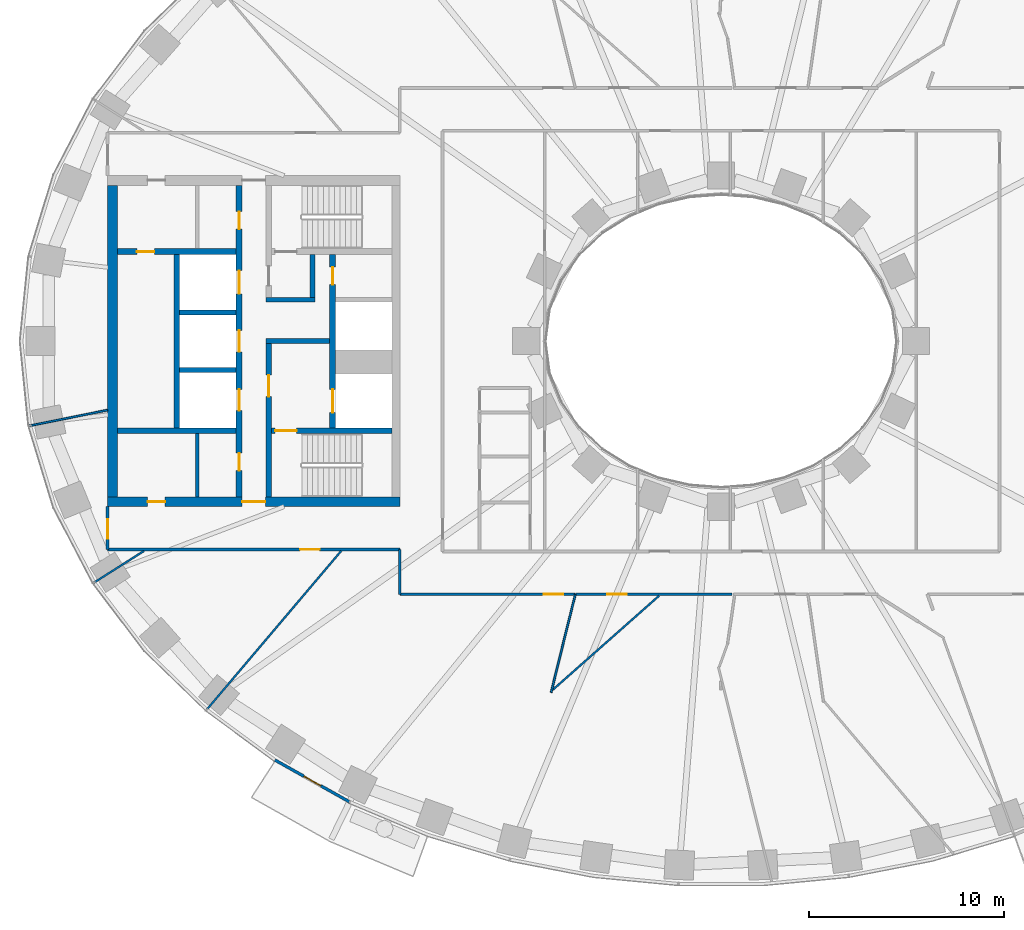
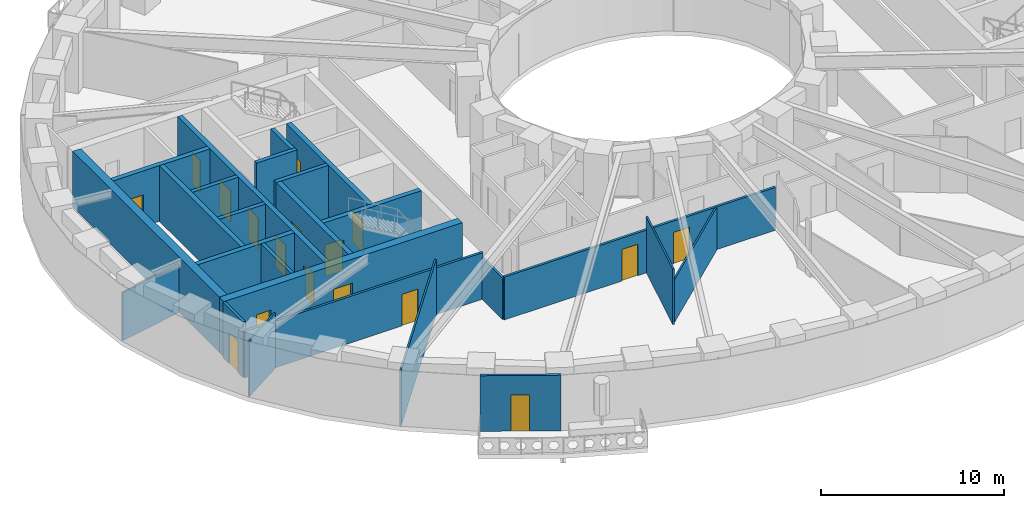
# One storey, part 3 of 15: 26 walls, 17 doors, 17 openings.
"""IFC4 building model written with IfcOpenShell, lengths in metres."""

from ifc_helpers import new_model, si_unit, direction, frame, frame_2d, origin, place, context, subcontext, project, spatial, rectangle, extrude, material, layer, layer_set, type_object, element, fill, save


model = new_model("IFC4")

# Units and contexts
model_context = context("Model", 3, precision=1e-05, world=origin(), true_north=direction((0.0, 1.0)))
body_context = subcontext(model_context, "Body", "Model", "MODEL_VIEW")
ifc_project = project(units=[si_unit("LENGTHUNIT", "METRE"), si_unit("AREAUNIT", "SQUARE_METRE"), si_unit("VOLUMEUNIT", "CUBIC_METRE"), si_unit("PLANEANGLEUNIT", "RADIAN"), si_unit("MASSUNIT", "GRAM", prefix="KILO")], contexts=[model_context])

# Site, building, storey
site_placement = place(None, origin())
site = spatial("IfcSite", under=ifc_project, at=site_placement, CompositionType="ELEMENT")
building_placement = place(site_placement, origin())
building = spatial("IfcBuilding", under=site, at=building_placement, Name="Noorbagh Ring Tower", CompositionType="ELEMENT")
storey_placement = place(building_placement, frame((0.0, 0.0, 38.5)))
storey = spatial("IfcBuildingStorey", under=building, at=storey_placement, Name="L07", CompositionType="ELEMENT", Elevation=38.5)

# Walls
ifc_material_1 = material(Name="Gypsum board on steel studs", Category="steel")
ifc_layer_1 = layer(ifc_material_1, 0.199951171875)
ifc_layer_set_1 = layer_set([ifc_layer_1], Name="Gypsum board on steel studs")
wall_type_1 = type_object("IfcWallType", Name="CORE-PARTITION-200", PredefinedType="PARTITIONING", material=ifc_layer_set_1)
wall_1_placement = place(storey_placement, frame((-26.89990234375, -8.0, 0.0), z_axis=(0.0, 0.0, 1.0), x_axis=(0.0, 1.0, 0.0)))
element("IfcWall", 1, at=wall_1_placement, inside=storey, type_object=wall_type_1, Name="Core partition W", PredefinedType="PARTITIONING", context=body_context, shape_type="SweptSolid", body=[
    extrude(rectangle(XDim=3.25, YDim=0.199951171875, at=frame_2d((1.625, 0.0))), origin(), (0.0, 0.0, 1.0), 3.699951171875),
])
ifc_material_2 = material(Name="Concrete C70/85", Category="concrete")
ifc_layer_2 = layer(ifc_material_2, 0.25)
ifc_layer_set_2 = layer_set([ifc_layer_2], Name="Concrete C70/85")
wall_type_2 = type_object("IfcWallType", Name="CORE-WALL-250-C70-85-EI120", PredefinedType="SHEAR", material=ifc_layer_set_2)
for number, where, z_axis, x_axis, name in (
    (2, (-24.89990234375, -1.47509765625, 0.0), (0.0, 0.0, 1.0), (-1.0, 0.0, 0.0), "Core wall W"),
    (3, (-24.89990234375, 1.47509765625, 0.0), (0.0, 0.0, 1.0), (-1.0, 0.0, 0.0), "Core wall W"),
):
    element("IfcWall", number, at=place(storey_placement, frame(where, z_axis=z_axis, x_axis=x_axis)), inside=storey, type_object=wall_type_2, Name=name, PredefinedType="SHEAR", context=body_context, shape_type="SweptSolid", body=[
        extrude(rectangle(XDim=2.900146484375, YDim=0.25, at=frame_2d((1.4501953125, 0.0))), origin(), (0.0, 0.0, 1.0), 3.699951171875),
    ])
ifc_material_3 = material(Name="Concrete C70/85", Category="concrete")
ifc_layer_3 = layer(ifc_material_3, 0.25)
ifc_layer_set_3 = layer_set([ifc_layer_3], Name="Concrete C70/85")
wall_type_3 = type_object("IfcWallType", Name="CORE-WALL-250-C70-85-EI240", PredefinedType="SHEAR", material=ifc_layer_set_3)
wall_2_placement = place(storey_placement, frame((-20.10009765625, 0.0, 0.0), z_axis=(0.0, 0.0, 1.0), x_axis=(-1.0, 0.0, 0.0)))
element("IfcWall", 4, at=wall_2_placement, inside=storey, type_object=wall_type_3, Name="Core wall W", PredefinedType="SHEAR", context=body_context, shape_type="SweptSolid", body=[
    extrude(rectangle(XDim=3.27978515625, YDim=0.25, at=frame_2d((1.639892578125, 0.0))), origin(), (0.0, 0.0, 1.0), 3.699951171875),
])
wall_3_placement = place(storey_placement, frame((-20.85009765625, 2.125, 0.0), z_axis=(0.0, 0.0, 1.0), x_axis=(-1.0, 0.0, 0.0)))
element("IfcWall", 5, at=wall_3_placement, inside=storey, type_object=wall_type_3, Name="Core wall W", PredefinedType="SHEAR", context=body_context, shape_type="SweptSolid", body=[
    extrude(rectangle(XDim=2.52978515625, YDim=0.25, at=frame_2d((1.264892578125, 0.0))), origin(), (0.0, 0.0, 1.0), 3.699951171875),
])
wall_4_placement = place(storey_placement, frame((-20.97509765625, 2.25, 0.0), z_axis=(0.0, 0.0, 1.0), x_axis=(0.0, 1.0, 0.0)))
element("IfcWall", 6, at=wall_4_placement, inside=storey, type_object=wall_type_3, Name="Core wall W", PredefinedType="SHEAR", context=body_context, shape_type="SweptSolid", body=[
    extrude(rectangle(XDim=2.199951171875, YDim=0.25, at=frame_2d((1.10009765625, 0.0))), origin(), (0.0, 0.0, 1.0), 3.699951171875),
])
ifc_material_4 = material(Name="Concrete C70/85", Category="concrete")
ifc_layer_4 = layer(ifc_material_4, 0.300048828125)
ifc_layer_set_4 = layer_set([ifc_layer_4], Name="Concrete C70/85")
wall_type_4 = type_object("IfcWallType", Name="CORE-WALL-300-C70-85-EI120", PredefinedType="SHEAR", material=ifc_layer_set_4)
wall_5_placement = place(storey_placement, frame((-27.949951171875, -4.449951171875, 0.0), z_axis=(0.0, 0.0, 1.0), x_axis=(0.0, 1.0, 0.0)))
element("IfcWall", 7, at=wall_5_placement, inside=storey, type_object=wall_type_4, Name="Core wall W", PredefinedType="SHEAR", context=body_context, shape_type="SweptSolid", body=[
    extrude(rectangle(XDim=8.89990234375, YDim=0.300048828125, at=frame_2d((4.449951171875, 0.0))), origin(), (0.0, 0.0, 1.0), 3.699951171875),
])

# Wall, openings, doors
wall_6_placement = place(storey_placement, frame((-19.949951171875, -4.449951171875, 0.0), z_axis=(0.0, 0.0, 1.0), x_axis=(0.0, 1.0, 0.0)))
wall_6 = element("IfcWall", 8, at=wall_6_placement, inside=storey, type_object=wall_type_4, Name="Core wall W", PredefinedType="SHEAR", context=body_context, shape_type="SweptSolid", body=[
    extrude(rectangle(XDim=8.89990234375, YDim=0.300048828125, at=frame_2d((4.449951171875, 0.0))), origin(), (0.0, 0.0, 1.0), 3.699951171875),
])
opening_1_placement = place(wall_6_placement, frame((0.77490234375, 0.0, 0.0)))
opening_1 = element("IfcOpeningElement", 9, at=opening_1_placement, cuts=wall_6, Name="Opening L07-CW01", PredefinedType="OPENING", context=body_context, shape_type="SweptSolid", body=[
    extrude(rectangle(XDim=1.199951171875, YDim=2.10009765625, at=frame_2d((0.60009765625, 1.050048828125))), frame((0.0, 0.16015625, 0.0), z_axis=(0.0, -1.0, 0.0), x_axis=(1.0, 0.0, 0.0)), (0.0, 0.0, 1.0), 0.320068359375),
])
opening_2_placement = place(wall_6_placement, frame((7.35009765625, 0.0, 0.0)))
opening_2 = element("IfcOpeningElement", 10, at=opening_2_placement, cuts=wall_6, Name="Opening L07-CW11", PredefinedType="OPENING", context=body_context, shape_type="SweptSolid", body=[
    extrude(rectangle(XDim=0.89990234375, YDim=2.10009765625, at=frame_2d((0.449951171875, 1.050048828125))), frame((0.0, 0.16015625, 0.0), z_axis=(0.0, -1.0, 0.0), x_axis=(1.0, 0.0, 0.0)), (0.0, 0.0, 1.0), 0.320068359375),
])
ifc_material_5 = material(Name="Steel door leaf", Category="steel")
door_type_1 = type_object("IfcDoorType", Name="CORE-DOOR-DROOM", OperationType="SINGLE_SWING_LEFT", PredefinedType="DOOR", material=ifc_material_5)
door_1_placement = place(opening_2_placement, origin())
door_1 = element("IfcDoor", 11, at=door_1_placement, inside=storey, type_object=door_type_1, Name="Core room door L07-CW11", OperationType="SINGLE_SWING_LEFT", OverallHeight=2.10009765625, OverallWidth=0.89990234375, PredefinedType="DOOR", context=body_context, shape_type="SweptSolid", body=[
    extrude(rectangle(XDim=0.89990234375, YDim=2.10009765625, at=frame_2d((0.449951171875, 1.050048828125))), frame((0.0, 0.02490234375, 0.0), z_axis=(0.0, -1.0, 0.0), x_axis=(1.0, 0.0, 0.0)), (0.0, 0.0, 1.0), 0.050048828125),
])
fill(opening_2, door_1)
ifc_material_6 = material(Name="Steel door leaf", Category="steel")
door_type_2 = type_object("IfcDoorType", Name="CORE-DOOR-LDW", OperationType="DOUBLE_DOOR_SLIDING", PredefinedType="DOOR", material=ifc_material_6)
door_2_placement = place(opening_1_placement, origin())
door_2 = element("IfcDoor", 12, at=door_2_placement, inside=storey, type_object=door_type_2, Name="Landing door FF1 L07-CW01", OperationType="DOUBLE_DOOR_SLIDING", OverallHeight=2.10009765625, OverallWidth=1.199951171875, PredefinedType="DOOR", context=body_context, shape_type="SweptSolid", body=[
    extrude(rectangle(XDim=1.199951171875, YDim=2.10009765625, at=frame_2d((0.60009765625, 1.050048828125))), frame((0.0, 0.02490234375, 0.0), z_axis=(0.0, -1.0, 0.0), x_axis=(1.0, 0.0, 0.0)), (0.0, 0.0, 1.0), 0.050048828125),
])
fill(opening_1, door_2)

wall_7_placement = place(storey_placement, frame((-24.75, -8.0, 0.0), z_axis=(0.0, 0.0, 1.0), x_axis=(0.0, 1.0, 0.0)))
wall_7 = element("IfcWall", 13, at=wall_7_placement, inside=storey, type_object=wall_type_4, Name="Core wall W", PredefinedType="SHEAR", context=body_context, shape_type="SweptSolid", body=[
    extrude(rectangle(XDim=16.0, YDim=0.300048828125, at=frame_2d((8.0, 0.0))), origin(), (0.0, 0.0, 1.0), 3.699951171875),
])
opening_3_placement = place(wall_7_placement, frame((4.425048828125, 0.0, 0.0)))
opening_3 = element("IfcOpeningElement", 14, at=opening_3_placement, cuts=wall_7, Name="Opening L07-CW02", PredefinedType="OPENING", context=body_context, shape_type="SweptSolid", body=[
    extrude(rectangle(XDim=1.10009765625, YDim=2.10009765625, at=frame_2d((0.550048828125, 1.050048828125))), frame((0.0, 0.16015625, 0.0), z_axis=(0.0, -1.0, 0.0), x_axis=(1.0, 0.0, 0.0)), (0.0, 0.0, 1.0), 0.320068359375),
])
opening_4_placement = place(wall_7_placement, frame((7.449951171875, 0.0, 0.0)))
opening_4 = element("IfcOpeningElement", 15, at=opening_4_placement, cuts=wall_7, Name="Opening L07-CW03", PredefinedType="OPENING", context=body_context, shape_type="SweptSolid", body=[
    extrude(rectangle(XDim=1.10009765625, YDim=2.10009765625, at=frame_2d((0.550048828125, 1.050048828125))), frame((0.0, 0.16015625, 0.0), z_axis=(0.0, -1.0, 0.0), x_axis=(1.0, 0.0, 0.0)), (0.0, 0.0, 1.0), 0.320068359375),
])
opening_5_placement = place(wall_7_placement, frame((10.425048828125, 0.0, 0.0)))
opening_5 = element("IfcOpeningElement", 16, at=opening_5_placement, cuts=wall_7, Name="Opening L07-CW04", PredefinedType="OPENING", context=body_context, shape_type="SweptSolid", body=[
    extrude(rectangle(XDim=1.199951171875, YDim=2.10009765625, at=frame_2d((0.60009765625, 1.050048828125))), frame((0.0, 0.16015625, 0.0), z_axis=(0.0, -1.0, 0.0), x_axis=(1.0, 0.0, 0.0)), (0.0, 0.0, 1.0), 0.320068359375),
])
opening_6_placement = place(wall_7_placement, frame((13.75, 0.0, 0.0)))
opening_6 = element("IfcOpeningElement", 17, at=opening_6_placement, cuts=wall_7, Name="Opening L07-CW12", PredefinedType="OPENING", context=body_context, shape_type="SweptSolid", body=[
    extrude(rectangle(XDim=0.89990234375, YDim=2.10009765625, at=frame_2d((0.449951171875, 1.050048828125))), frame((0.0, 0.16015625, 0.0), z_axis=(0.0, -1.0, 0.0), x_axis=(1.0, 0.0, 0.0)), (0.0, 0.0, 1.0), 0.320068359375),
])
opening_7_placement = place(wall_7_placement, frame((1.35009765625, 0.0, 0.0)))
opening_7 = element("IfcOpeningElement", 18, at=opening_7_placement, cuts=wall_7, Name="Opening L07-CW14", PredefinedType="OPENING", context=body_context, shape_type="SweptSolid", body=[
    extrude(rectangle(XDim=0.89990234375, YDim=2.10009765625, at=frame_2d((0.449951171875, 1.050048828125))), frame((0.0, 0.16015625, 0.0), z_axis=(0.0, -1.0, 0.0), x_axis=(1.0, 0.0, 0.0)), (0.0, 0.0, 1.0), 0.320068359375),
])
door_3_placement = place(opening_6_placement, origin())
door_3 = element("IfcDoor", 19, at=door_3_placement, inside=storey, type_object=door_type_1, Name="Core room door L07-CW12", OperationType="SINGLE_SWING_RIGHT", OverallHeight=2.10009765625, OverallWidth=0.89990234375, PredefinedType="DOOR", context=body_context, shape_type="SweptSolid", body=[
    extrude(rectangle(XDim=0.89990234375, YDim=2.10009765625, at=frame_2d((0.449951171875, 1.050048828125))), frame((0.0, 0.02490234375, 0.0), z_axis=(0.0, -1.0, 0.0), x_axis=(1.0, 0.0, 0.0)), (0.0, 0.0, 1.0), 0.050048828125),
])
fill(opening_6, door_3)
door_4_placement = place(opening_7_placement, origin())
door_4 = element("IfcDoor", 20, at=door_4_placement, inside=storey, type_object=door_type_1, Name="Core room door L07-CW14", OperationType="SINGLE_SWING_LEFT", OverallHeight=2.10009765625, OverallWidth=0.89990234375, PredefinedType="DOOR", context=body_context, shape_type="SweptSolid", body=[
    extrude(rectangle(XDim=0.89990234375, YDim=2.10009765625, at=frame_2d((0.449951171875, 1.050048828125))), frame((0.0, 0.02490234375, 0.0), z_axis=(0.0, -1.0, 0.0), x_axis=(1.0, 0.0, 0.0)), (0.0, 0.0, 1.0), 0.050048828125),
])
fill(opening_7, door_4)
ifc_material_7 = material(Name="Steel door leaf", Category="steel")
door_type_3 = type_object("IfcDoorType", Name="CORE-DOOR-LD", OperationType="DOUBLE_DOOR_SLIDING", PredefinedType="DOOR", material=ifc_material_7)
door_5_placement = place(opening_3_placement, origin())
door_5 = element("IfcDoor", 21, at=door_5_placement, inside=storey, type_object=door_type_3, Name="Landing door LR1 L07-CW02", OperationType="DOUBLE_DOOR_SLIDING", OverallHeight=2.10009765625, OverallWidth=1.10009765625, PredefinedType="DOOR", context=body_context, shape_type="SweptSolid", body=[
    extrude(rectangle(XDim=1.10009765625, YDim=2.10009765625, at=frame_2d((0.550048828125, 1.050048828125))), frame((0.0, 0.02490234375, 0.0), z_axis=(0.0, -1.0, 0.0), x_axis=(1.0, 0.0, 0.0)), (0.0, 0.0, 1.0), 0.050048828125),
])
fill(opening_3, door_5)
door_6_placement = place(opening_4_placement, origin())
door_6 = element("IfcDoor", 22, at=door_6_placement, inside=storey, type_object=door_type_3, Name="Landing door LR2 L07-CW03", OperationType="DOUBLE_DOOR_SLIDING", OverallHeight=2.10009765625, OverallWidth=1.10009765625, PredefinedType="DOOR", context=body_context, shape_type="SweptSolid", body=[
    extrude(rectangle(XDim=1.10009765625, YDim=2.10009765625, at=frame_2d((0.550048828125, 1.050048828125))), frame((0.0, 0.02490234375, 0.0), z_axis=(0.0, -1.0, 0.0), x_axis=(1.0, 0.0, 0.0)), (0.0, 0.0, 1.0), 0.050048828125),
])
fill(opening_4, door_6)
door_7_placement = place(opening_5_placement, origin())
door_7 = element("IfcDoor", 23, at=door_7_placement, inside=storey, type_object=door_type_2, Name="Landing door SV1 L07-CW04", OperationType="DOUBLE_DOOR_SLIDING", OverallHeight=2.10009765625, OverallWidth=1.199951171875, PredefinedType="DOOR", context=body_context, shape_type="SweptSolid", body=[
    extrude(rectangle(XDim=1.199951171875, YDim=2.10009765625, at=frame_2d((0.60009765625, 1.050048828125))), frame((0.0, 0.02490234375, 0.0), z_axis=(0.0, -1.0, 0.0), x_axis=(1.0, 0.0, 0.0)), (0.0, 0.0, 1.0), 0.050048828125),
])
fill(opening_5, door_7)

# Wall, opening, door
ifc_material_8 = material(Name="Concrete C70/85", Category="concrete")
ifc_layer_5 = layer(ifc_material_8, 0.300048828125)
ifc_layer_set_5 = layer_set([ifc_layer_5], Name="Concrete C70/85")
wall_type_5 = type_object("IfcWallType", Name="CORE-WALL-300-C70-85-EI240", PredefinedType="SHEAR", material=ifc_layer_set_5)
wall_8_placement = place(storey_placement, frame((-24.89990234375, 4.60009765625, 0.0), z_axis=(0.0, 0.0, 1.0), x_axis=(-1.0, 0.0, 0.0)))
wall_8 = element("IfcWall", 24, at=wall_8_placement, inside=storey, type_object=wall_type_5, Name="Core wall W", PredefinedType="SHEAR", context=body_context, shape_type="SweptSolid", body=[
    extrude(rectangle(XDim=6.10009765625, YDim=0.300048828125, at=frame_2d((3.050048828125, 0.0))), origin(), (0.0, 0.0, 1.0), 3.699951171875),
])
opening_8_placement = place(wall_8_placement, frame((4.199951171875, 0.0, 0.0)))
opening_8 = element("IfcOpeningElement", 25, at=opening_8_placement, cuts=wall_8, Name="Opening L07-CW16", PredefinedType="OPENING", context=body_context, shape_type="SweptSolid", body=[
    extrude(rectangle(XDim=0.89990234375, YDim=2.10009765625, at=frame_2d((0.449951171875, 1.050048828125))), frame((0.0, 0.16015625, 0.0), z_axis=(0.0, -1.0, 0.0), x_axis=(1.0, 0.0, 0.0)), (0.0, 0.0, 1.0), 0.320068359375),
])
door_8_placement = place(opening_8_placement, origin())
door_8 = element("IfcDoor", 26, at=door_8_placement, inside=storey, type_object=door_type_1, Name="Core room door L07-CW16", OperationType="SINGLE_SWING_LEFT", OverallHeight=2.10009765625, OverallWidth=0.89990234375, PredefinedType="DOOR", context=body_context, shape_type="SweptSolid", body=[
    extrude(rectangle(XDim=0.89990234375, YDim=2.10009765625, at=frame_2d((0.449951171875, 1.050048828125))), frame((0.0, 0.02490234375, 0.0), z_axis=(0.0, -1.0, 0.0), x_axis=(1.0, 0.0, 0.0)), (0.0, 0.0, 1.0), 0.050048828125),
])
fill(opening_8, door_8)

# Wall
wall_9_placement = place(storey_placement, frame((-24.89990234375, -4.60009765625, 0.0), z_axis=(0.0, 0.0, 1.0), x_axis=(-1.0, 0.0, 0.0)))
element("IfcWall", 27, at=wall_9_placement, inside=storey, type_object=wall_type_5, Name="Core wall W", PredefinedType="SHEAR", context=body_context, shape_type="SweptSolid", body=[
    extrude(rectangle(XDim=6.10009765625, YDim=0.300048828125, at=frame_2d((3.050048828125, 0.0))), origin(), (0.0, 0.0, 1.0), 3.699951171875),
])

# Wall, opening, door
wall_10_placement = place(storey_placement, frame((-23.22998046875, -8.0, 0.0), z_axis=(0.0, 0.0, 1.0), x_axis=(0.0, 1.0, 0.0)))
wall_10 = element("IfcWall", 28, at=wall_10_placement, inside=storey, type_object=wall_type_5, Name="Core wall W", PredefinedType="SHEAR", context=body_context, shape_type="SweptSolid", body=[
    extrude(rectangle(XDim=7.875, YDim=0.300048828125, at=frame_2d((3.9375, 0.0))), origin(), (0.0, 0.0, 1.0), 3.699951171875),
])
opening_9_placement = place(wall_10_placement, frame((5.14990234375, 0.0, 0.0)))
opening_9 = element("IfcOpeningElement", 29, at=opening_9_placement, cuts=wall_10, Name="Opening L07-CW07", PredefinedType="OPENING", context=body_context, shape_type="SweptSolid", body=[
    extrude(rectangle(XDim=1.10009765625, YDim=2.10009765625, at=frame_2d((0.550048828125, 1.050048828125))), frame((0.0, 0.16015625, 0.0), z_axis=(0.0, -1.0, 0.0), x_axis=(1.0, 0.0, 0.0)), (0.0, 0.0, 1.0), 0.320068359375),
])
ifc_material_9 = material(Name="Steel door leaf", Category="steel")
door_type_4 = type_object("IfcDoorType", Name="CORE-DOOR-DFF", OperationType="SINGLE_SWING_LEFT", PredefinedType="DOOR", material=ifc_material_9)
door_9_placement = place(opening_9_placement, origin())
door_9 = element("IfcDoor", 30, at=door_9_placement, inside=storey, type_object=door_type_4, Name="Firefighting lobby door L07-CW07", OperationType="SINGLE_SWING_LEFT", OverallHeight=2.10009765625, OverallWidth=1.10009765625, PredefinedType="DOOR", context=body_context, shape_type="SweptSolid", body=[
    extrude(rectangle(XDim=1.10009765625, YDim=2.10009765625, at=frame_2d((0.550048828125, 1.050048828125))), frame((0.0, 0.02490234375, 0.0), z_axis=(0.0, -1.0, 0.0), x_axis=(1.0, 0.0, 0.0)), (0.0, 0.0, 1.0), 0.050048828125),
])
fill(opening_9, door_9)

wall_11_placement = place(storey_placement, frame((-16.89990234375, -4.60009765625, 0.0), z_axis=(0.0, 0.0, 1.0), x_axis=(-1.0, 0.0, 0.0)))
wall_11 = element("IfcWall", 31, at=wall_11_placement, inside=storey, type_object=wall_type_5, Name="Core wall W", PredefinedType="SHEAR", context=body_context, shape_type="SweptSolid", body=[
    extrude(rectangle(XDim=6.18017578125, YDim=0.300048828125, at=frame_2d((3.090087890625, 0.0))), origin(), (0.0, 0.0, 1.0), 3.699951171875),
])
opening_10_placement = place(wall_11_placement, frame((4.89990234375, 0.0, 0.0)))
opening_10 = element("IfcOpeningElement", 32, at=opening_10_placement, cuts=wall_11, Name="Opening L07-CW06", PredefinedType="OPENING", context=body_context, shape_type="SweptSolid", body=[
    extrude(rectangle(XDim=1.10009765625, YDim=2.10009765625, at=frame_2d((0.550048828125, 1.050048828125))), frame((0.0, 0.16015625, 0.0), z_axis=(0.0, -1.0, 0.0), x_axis=(1.0, 0.0, 0.0)), (0.0, 0.0, 1.0), 0.320068359375),
])
ifc_material_10 = material(Name="Steel door leaf", Category="steel")
door_type_5 = type_object("IfcDoorType", Name="CORE-DOOR-DSTAIR", OperationType="SINGLE_SWING_LEFT", PredefinedType="DOOR", material=ifc_material_10)
door_10_placement = place(opening_10_placement, origin())
door_10 = element("IfcDoor", 33, at=door_10_placement, inside=storey, type_object=door_type_5, Name="Stair door ST2 L07-CW06", OperationType="SINGLE_SWING_LEFT", OverallHeight=2.10009765625, OverallWidth=1.10009765625, PredefinedType="DOOR", context=body_context, shape_type="SweptSolid", body=[
    extrude(rectangle(XDim=1.10009765625, YDim=2.10009765625, at=frame_2d((0.550048828125, 1.050048828125))), frame((0.0, 0.02490234375, 0.0), z_axis=(0.0, -1.0, 0.0), x_axis=(1.0, 0.0, 0.0)), (0.0, 0.0, 1.0), 0.050048828125),
])
fill(opening_10, door_10)

# Wall, openings, doors
ifc_material_11 = material(Name="Concrete C70/85", Category="concrete")
ifc_layer_6 = layer(ifc_material_11, 0.5)
ifc_layer_set_6 = layer_set([ifc_layer_6], Name="Concrete C70/85")
wall_type_6 = type_object("IfcWallType", Name="CORE-WALL-500-C70-85-EI240", PredefinedType="SHEAR", material=ifc_layer_set_6)
wall_12_placement = place(storey_placement, frame((-16.5, -8.25, 0.0), z_axis=(0.0, 0.0, 1.0), x_axis=(-1.0, 0.0, 0.0)))
wall_12 = element("IfcWall", 34, at=wall_12_placement, inside=storey, type_object=wall_type_6, Name="Core wall W", PredefinedType="SHEAR", context=body_context, shape_type="SweptSolid", body=[
    extrude(rectangle(XDim=15.0, YDim=0.5, at=frame_2d((7.5, 0.0))), origin(), (0.0, 0.0, 1.0), 3.699951171875),
])
opening_11_placement = place(wall_12_placement, frame((6.89990234375, 0.0, 0.0)))
opening_11 = element("IfcOpeningElement", 35, at=opening_11_placement, cuts=wall_12, Name="Opening L07-CW10", PredefinedType="OPENING", context=body_context, shape_type="SweptSolid", body=[
    extrude(rectangle(XDim=1.199951171875, YDim=2.10009765625, at=frame_2d((0.60009765625, 1.050048828125))), frame((0.0, 0.260009765625, 0.0), z_axis=(0.0, -1.0, 0.0), x_axis=(1.0, 0.0, 0.0)), (0.0, 0.0, 1.0), 0.52001953125),
])
opening_12_placement = place(wall_12_placement, frame((12.050048828125, 0.0, 0.0)))
opening_12 = element("IfcOpeningElement", 36, at=opening_12_placement, cuts=wall_12, Name="Opening L07-CW15", PredefinedType="OPENING", context=body_context, shape_type="SweptSolid", body=[
    extrude(rectangle(XDim=0.89990234375, YDim=2.10009765625, at=frame_2d((0.449951171875, 1.050048828125))), frame((0.0, 0.260009765625, 0.0), z_axis=(0.0, -1.0, 0.0), x_axis=(1.0, 0.0, 0.0)), (0.0, 0.0, 1.0), 0.52001953125),
])
door_11_placement = place(opening_12_placement, origin())
door_11 = element("IfcDoor", 37, at=door_11_placement, inside=storey, type_object=door_type_1, Name="Core room door L07-CW15", OperationType="SINGLE_SWING_LEFT", OverallHeight=2.10009765625, OverallWidth=0.89990234375, PredefinedType="DOOR", context=body_context, shape_type="SweptSolid", body=[
    extrude(rectangle(XDim=0.89990234375, YDim=2.10009765625, at=frame_2d((0.449951171875, 1.050048828125))), frame((0.0, 0.02490234375, 0.0), z_axis=(0.0, -1.0, 0.0), x_axis=(1.0, 0.0, 0.0)), (0.0, 0.0, 1.0), 0.050048828125),
])
fill(opening_12, door_11)
ifc_material_12 = material(Name="Steel door leaf", Category="steel")
door_type_6 = type_object("IfcDoorType", Name="CORE-DOOR-PORT", OperationType="DOUBLE_DOOR_DOUBLE_SWING", PredefinedType="DOOR", material=ifc_material_12)
door_12_placement = place(opening_11_placement, origin())
door_12 = element("IfcDoor", 38, at=door_12_placement, inside=storey, type_object=door_type_6, Name="Core entrance door L07-CW10", OperationType="DOUBLE_DOOR_DOUBLE_SWING", OverallHeight=2.10009765625, OverallWidth=1.199951171875, PredefinedType="DOOR", context=body_context, shape_type="SweptSolid", body=[
    extrude(rectangle(XDim=1.199951171875, YDim=2.10009765625, at=frame_2d((0.60009765625, 1.050048828125))), frame((0.0, 0.02490234375, 0.0), z_axis=(0.0, -1.0, 0.0), x_axis=(1.0, 0.0, 0.0)), (0.0, 0.0, 1.0), 0.050048828125),
])
fill(opening_11, door_12)

# Wall
wall_13_placement = place(storey_placement, frame((-31.25, -8.0, 0.0), z_axis=(0.0, 0.0, 1.0), x_axis=(0.0, 1.0, 0.0)))
element("IfcWall", 39, at=wall_13_placement, inside=storey, type_object=wall_type_6, Name="Core wall W", PredefinedType="SHEAR", context=body_context, shape_type="SweptSolid", body=[
    extrude(rectangle(XDim=16.0, YDim=0.5, at=frame_2d((8.0, 0.0))), origin(), (0.0, 0.0, 1.0), 3.699951171875),
])

# Wall, opening, door
ifc_material_13 = material(Name="Gypsum board on steel studs", Category="steel")
ifc_layer_7 = layer(ifc_material_13, 0.14990234375)
ifc_layer_set_7 = layer_set([ifc_layer_7], Name="Gypsum board on steel studs")
wall_type_7 = type_object("IfcWallType", Name="CORRIDOR PARTITION 150 EI 30", PredefinedType="PARTITIONING", material=ifc_layer_set_7)
wall_14_placement = place(storey_placement, frame((-31.5, -10.699951171875, 0.0), z_axis=(0.0, 0.0, 1.0), x_axis=(0.0, 1.0, 0.0)))
wall_14 = element("IfcWall", 40, at=wall_14_placement, inside=storey, type_object=wall_type_7, Name="L07/wall/P04", PredefinedType="PARTITIONING", context=body_context, shape_type="SweptSolid", body=[
    extrude(rectangle(XDim=2.199951171875, YDim=0.14990234375, at=frame_2d((1.10009765625, 0.0))), origin(), (0.0, 0.0, 1.0), 3.699951171875),
])
opening_13_placement = place(wall_14_placement, frame((0.550048828125, 0.0, 0.0)))
opening_13 = element("IfcOpeningElement", 41, at=opening_13_placement, cuts=wall_14, Name="Opening D1", PredefinedType="OPENING", context=body_context, shape_type="SweptSolid", body=[
    extrude(rectangle(XDim=1.0, YDim=2.10009765625, at=frame_2d((0.5, 1.050048828125))), frame((0.0, 0.0849609375, 0.0), z_axis=(0.0, -1.0, 0.0), x_axis=(1.0, 0.0, 0.0)), (0.0, 0.0, 1.0), 0.169921875),
])
ifc_material_14 = material(Name="Timber, painted", Category="wood")
door_type_7 = type_object("IfcDoorType", Name="DOOR 1000 X 2100 FD30", OperationType="SINGLE_SWING_LEFT", PredefinedType="DOOR", material=ifc_material_14)
door_13_placement = place(opening_13_placement, origin())
door_13 = element("IfcDoor", 42, at=door_13_placement, inside=storey, type_object=door_type_7, Name="L07-D06", OperationType="SINGLE_SWING_RIGHT", OverallHeight=2.10009765625, OverallWidth=1.0, PredefinedType="DOOR", context=body_context, shape_type="SweptSolid", body=[
    extrude(rectangle(XDim=1.0, YDim=2.10009765625, at=frame_2d((0.5, 1.050048828125))), frame((0.0, 0.02490234375, 0.0), z_axis=(0.0, -1.0, 0.0), x_axis=(1.0, 0.0, 0.0)), (0.0, 0.0, 1.0), 0.050048828125),
])
fill(opening_13, door_13)

wall_15_placement = place(storey_placement, frame((-31.5, -10.699951171875, 0.0), z_axis=(0.0, 0.0, 1.0), x_axis=(1.0, 0.0, 0.0)))
wall_15 = element("IfcWall", 43, at=wall_15_placement, inside=storey, type_object=wall_type_7, Name="L07/wall/P05", PredefinedType="PARTITIONING", context=body_context, shape_type="SweptSolid", body=[
    extrude(rectangle(XDim=15.0, YDim=0.14990234375, at=frame_2d((7.5, 0.0))), origin(), (0.0, 0.0, 1.0), 3.10009765625),
])
opening_14_placement = place(wall_15_placement, frame((9.87890625, 0.0, 0.0)))
opening_14 = element("IfcOpeningElement", 44, at=opening_14_placement, cuts=wall_15, Name="Opening D1", PredefinedType="OPENING", context=body_context, shape_type="SweptSolid", body=[
    extrude(rectangle(XDim=1.0, YDim=2.10009765625, at=frame_2d((0.5, 1.050048828125))), frame((0.0, 0.0849609375, 0.0), z_axis=(0.0, -1.0, 0.0), x_axis=(1.0, 0.0, 0.0)), (0.0, 0.0, 1.0), 0.169921875),
])
door_14_placement = place(opening_14_placement, origin())
door_14 = element("IfcDoor", 45, at=door_14_placement, inside=storey, type_object=door_type_7, Name="L07-D08", OperationType="SINGLE_SWING_RIGHT", OverallHeight=2.10009765625, OverallWidth=1.0, PredefinedType="DOOR", context=body_context, shape_type="SweptSolid", body=[
    extrude(rectangle(XDim=1.0, YDim=2.10009765625, at=frame_2d((0.5, 1.050048828125))), frame((0.0, 0.02490234375, 0.0), z_axis=(0.0, -1.0, 0.0), x_axis=(1.0, 0.0, 0.0)), (0.0, 0.0, 1.0), 0.050048828125),
])
fill(opening_14, door_14)

# Wall
wall_16_placement = place(storey_placement, frame((-16.5, -13.0, 0.0), z_axis=(0.0, 0.0, 1.0), x_axis=(0.0, 1.0, 0.0)))
element("IfcWall", 46, at=wall_16_placement, inside=storey, type_object=wall_type_7, Name="L07/wall/P10", PredefinedType="PARTITIONING", context=body_context, shape_type="SweptSolid", body=[
    extrude(rectangle(XDim=2.300048828125, YDim=0.14990234375, at=frame_2d((1.14990234375, 0.0))), origin(), (0.0, 0.0, 1.0), 2.75),
])

# Wall, opening, door
wall_17_placement = place(storey_placement, frame((-16.5, -13.0, 0.0), z_axis=(0.0, 0.0, 1.0), x_axis=(1.0, 0.0, 0.0)))
wall_17 = element("IfcWall", 47, at=wall_17_placement, inside=storey, type_object=wall_type_7, Name="L07/wall/P11", PredefinedType="PARTITIONING", context=body_context, shape_type="SweptSolid", body=[
    extrude(rectangle(XDim=9.0009765625, YDim=0.14990234375, at=frame_2d((4.50048828125, 0.0))), origin(), (0.0, 0.0, 1.0), 2.85009765625),
])
opening_15_placement = place(wall_17_placement, frame((7.39990234375, 0.0, 0.0)))
opening_15 = element("IfcOpeningElement", 48, at=opening_15_placement, cuts=wall_17, Name="Opening D1", PredefinedType="OPENING", context=body_context, shape_type="SweptSolid", body=[
    extrude(rectangle(XDim=1.0, YDim=2.10009765625, at=frame_2d((0.5, 1.050048828125))), frame((0.0, 0.0849609375, 0.0), z_axis=(0.0, -1.0, 0.0), x_axis=(1.0, 0.0, 0.0)), (0.0, 0.0, 1.0), 0.169921875),
])
door_15_placement = place(opening_15_placement, origin())
door_15 = element("IfcDoor", 49, at=door_15_placement, inside=storey, type_object=door_type_7, Name="L07-D10", OperationType="SINGLE_SWING_RIGHT", OverallHeight=2.10009765625, OverallWidth=1.0, PredefinedType="DOOR", context=body_context, shape_type="SweptSolid", body=[
    extrude(rectangle(XDim=1.0, YDim=2.10009765625, at=frame_2d((0.5, 1.050048828125))), frame((0.0, 0.02490234375, 0.0), z_axis=(0.0, -1.0, 0.0), x_axis=(1.0, 0.0, 0.0)), (0.0, 0.0, 1.0), 0.050048828125),
])
fill(opening_15, door_15)

wall_18_placement = place(storey_placement, frame((-7.48291015625, -13.0, 0.0), z_axis=(0.0, 0.0, 1.0), x_axis=(1.0, 0.0, 0.0)))
wall_18 = element("IfcWall", 50, at=wall_18_placement, inside=storey, type_object=wall_type_7, Name="L07/wall/P31", PredefinedType="PARTITIONING", context=body_context, shape_type="SweptSolid", body=[
    extrude(rectangle(XDim=8.051025390625, YDim=0.14990234375, at=frame_2d((4.025390625, 0.0))), origin(), (0.0, 0.0, 1.0), 2.85009765625),
])
opening_16_placement = place(wall_18_placement, frame((1.634033203125, 0.0, 0.0)))
opening_16 = element("IfcOpeningElement", 51, at=opening_16_placement, cuts=wall_18, Name="Opening D1", PredefinedType="OPENING", context=body_context, shape_type="SweptSolid", body=[
    extrude(rectangle(XDim=1.0, YDim=2.10009765625, at=frame_2d((0.5, 1.050048828125))), frame((0.0, 0.0849609375, 0.0), z_axis=(0.0, -1.0, 0.0), x_axis=(1.0, 0.0, 0.0)), (0.0, 0.0, 1.0), 0.169921875),
])
door_16_placement = place(opening_16_placement, origin())
door_16 = element("IfcDoor", 52, at=door_16_placement, inside=storey, type_object=door_type_7, Name="L07-D12", OperationType="SINGLE_SWING_RIGHT", OverallHeight=2.10009765625, OverallWidth=1.0, PredefinedType="DOOR", context=body_context, shape_type="SweptSolid", body=[
    extrude(rectangle(XDim=1.0, YDim=2.10009765625, at=frame_2d((0.5, 1.050048828125))), frame((0.0, 0.02490234375, 0.0), z_axis=(0.0, -1.0, 0.0), x_axis=(1.0, 0.0, 0.0)), (0.0, 0.0, 1.0), 0.050048828125),
])
fill(opening_16, door_16)

ifc_material_15 = material(Name="Insulated aluminium clad panel", Category="aluminium")
ifc_layer_8 = layer(ifc_material_15, 0.14990234375)
ifc_layer_set_8 = layer_set([ifc_layer_8], Name="Insulated aluminium clad panel")
wall_type_8 = type_object("IfcWallType", Name="ENV-WALL-DOOR", PredefinedType="STANDARD", material=ifc_layer_set_8)
wall_19_placement = place(storey_placement, frame((-22.913330078125, -21.508544921875, 0.0), z_axis=(0.0, 0.0, 1.0), x_axis=(0.872046572975, -0.489422899509, 0.0)))
wall_19 = element("IfcWall", 53, at=wall_19_placement, inside=storey, type_object=wall_type_8, Name="Balcony door wall chord 30", PredefinedType="STANDARD", context=body_context, shape_type="SweptSolid", body=[
    extrude(rectangle(XDim=4.425537109375, YDim=0.14990234375, at=frame_2d((2.212890625, 0.0))), origin(), (0.0, 0.0, 1.0), 3.699951171875),
])
opening_17_placement = place(wall_19_placement, frame((1.712646484375, 0.0, 0.0)))
opening_17 = element("IfcOpeningElement", 54, at=opening_17_placement, cuts=wall_19, Name="Opening D-BL", PredefinedType="OPENING", context=body_context, shape_type="SweptSolid", body=[
    extrude(rectangle(XDim=1.0, YDim=2.39990234375, at=frame_2d((0.5, 1.199951171875))), frame((0.0, 0.0849609375, 0.0), z_axis=(0.0, -1.0, 0.0), x_axis=(1.0, 0.0, 0.0)), (0.0, 0.0, 1.0), 0.169921875),
])
ifc_material_16 = material(Name="Aluminium and glass", Category="aluminium")
door_type_8 = type_object("IfcDoorType", Name="ENV-DOOR-BALCONY", OperationType="SINGLE_SWING_LEFT", PredefinedType="DOOR", material=ifc_material_16)
door_17_placement = place(opening_17_placement, origin())
door_17 = element("IfcDoor", 55, at=door_17_placement, inside=storey, type_object=door_type_8, Name="Balcony door chord 30", OperationType="SINGLE_SWING_RIGHT", OverallHeight=2.39990234375, OverallWidth=1.0, PredefinedType="DOOR", context=body_context, shape_type="SweptSolid", body=[
    extrude(rectangle(XDim=1.0, YDim=2.39990234375, at=frame_2d((0.5, 1.199951171875))), frame((0.0, 0.02490234375, 0.0), z_axis=(0.0, -1.0, 0.0), x_axis=(1.0, 0.0, 0.0)), (0.0, 0.0, 1.0), 0.050048828125),
])
fill(opening_17, door_17)

# Walls
ifc_material_17 = material(Name="Gypsum board on steel studs", Category="steel")
ifc_layer_9 = layer(ifc_material_17, 0.10009765625)
ifc_layer_set_9 = layer_set([ifc_layer_9], Name="Gypsum board on steel studs")
wall_type_9 = type_object("IfcWallType", Name="PARTITION 100 GYPSUM", PredefinedType="PARTITIONING", material=ifc_layer_set_9)
wall_20_placement = place(storey_placement, frame((-35.511962890625, -4.34912109375, 0.0), z_axis=(0.0, 0.0, 1.0), x_axis=(0.980357474535, 0.197228857227, 0.0)))
element("IfcWall", 56, at=wall_20_placement, inside=storey, type_object=wall_type_9, Name="L07/wall/P01", PredefinedType="PARTITIONING", context=body_context, shape_type="SweptSolid", body=[
    extrude(rectangle(XDim=4.09228515625, YDim=0.10009765625, at=frame_2d((2.046142578125, 0.0))), origin(), (0.0, 0.0, 1.0), 3.199951171875),
])
wall_21_placement = place(storey_placement, frame((-32.2119140625, -12.407958984375, 0.0), z_axis=(0.0, 0.0, 1.0), x_axis=(0.844810627195, 0.535065420467, 0.0)))
element("IfcWall", 57, at=wall_21_placement, inside=storey, type_object=wall_type_9, Name="L07/wall/P02", PredefinedType="PARTITIONING", context=body_context, shape_type="SweptSolid", body=[
    extrude(rectangle(XDim=3.0478515625, YDim=0.10009765625, at=frame_2d((1.52392578125, 0.0))), origin(), (0.0, 0.0, 1.0), 3.699951171875),
])
wall_22_placement = place(storey_placement, frame((-26.429931640625, -18.945068359375, 0.0), z_axis=(0.0, 0.0, 1.0), x_axis=(0.646400187952, 0.762998556365, 0.0)))
element("IfcWall", 58, at=wall_22_placement, inside=storey, type_object=wall_type_9, Name="L07/wall/P08", PredefinedType="PARTITIONING", context=body_context, shape_type="SweptSolid", body=[
    extrude(rectangle(XDim=10.703857421875, YDim=0.10009765625, at=frame_2d((5.35205078125, 0.0))), origin(), (0.0, 0.0, 1.0), 3.699951171875),
])
wall_23_placement = place(storey_placement, frame((-8.72900390625, -18.0458984375, 0.0), z_axis=(0.0, 0.0, 1.0), x_axis=(0.239749411988, 0.970834805439, 0.0)))
element("IfcWall", 59, at=wall_23_placement, inside=storey, type_object=wall_type_9, Name="L07/wall/P27", PredefinedType="PARTITIONING", context=body_context, shape_type="SweptSolid", body=[
    extrude(rectangle(XDim=5.197509765625, YDim=0.10009765625, at=frame_2d((2.5986328125, 0.0))), origin(), (0.0, 0.0, 1.0), 3.699951171875),
])
wall_24_placement = place(storey_placement, frame((-8.64208984375, -17.903076171875, 0.0), z_axis=(0.0, 0.0, 1.0), x_axis=(0.749027274438, 0.662539162728, 0.0)))
element("IfcWall", 60, at=wall_24_placement, inside=storey, type_object=wall_type_9, Name="L07/wall/P28", PredefinedType="PARTITIONING", context=body_context, shape_type="SweptSolid", body=[
    extrude(rectangle(XDim=7.282958984375, YDim=0.10009765625, at=frame_2d((3.6416015625, 0.0))), origin(), (0.0, 0.0, 1.0), 2.85009765625),
])

save(model, "model.ifc")
